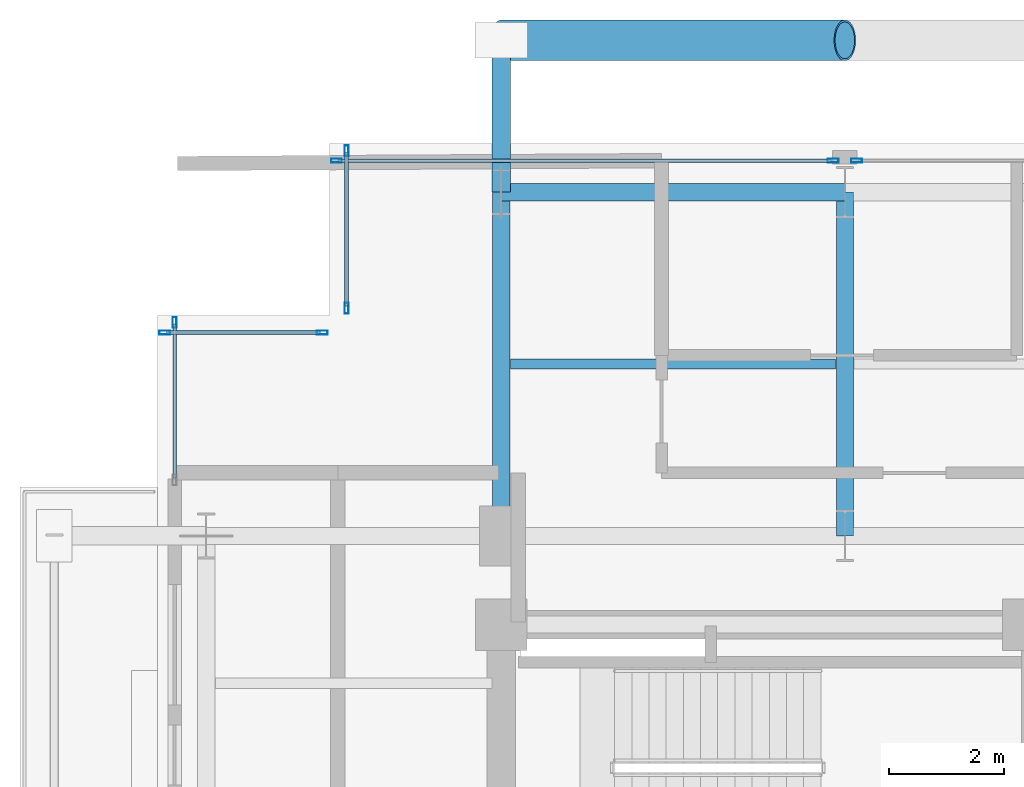
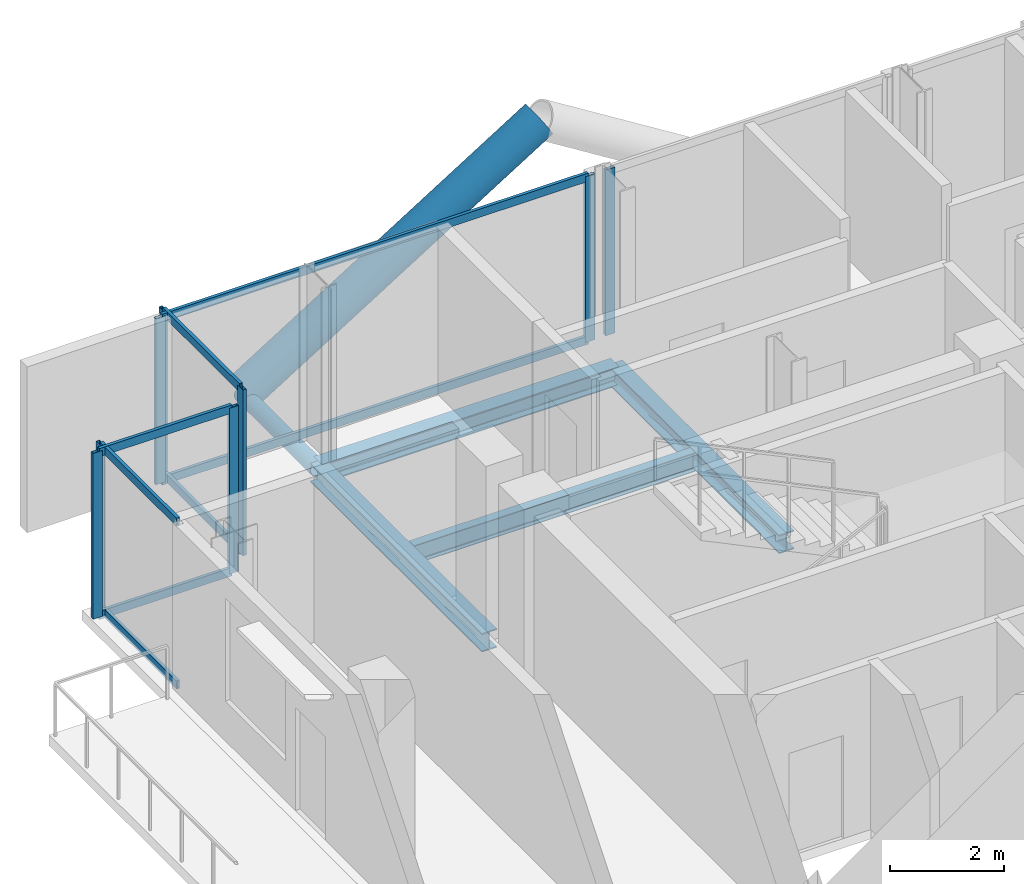
# One storey, part 14 of 26: 18 members, 4 beams, 5 elements without a shape of their own.
"""IFC4 building model written with IfcOpenShell, lengths in metres."""

from ifc_helpers import new_model, si_unit, direction, frame, origin, origin_2d, place, context, subcontext, project, spatial, hollow_rectangle, hollow_circle, i_section, extrude, material, layer, layer_set, material_profile, profile_set, type_object, element, aggregate, save


model = new_model("IFC4")

# Units and contexts
model_context = context("Model", 3, precision=1e-05, world=origin(), true_north=direction((0.0, 1.0)))
body_context = subcontext(model_context, "Body", "Model", "MODEL_VIEW")
ifc_project = project(units=[si_unit("LENGTHUNIT", "METRE"), si_unit("AREAUNIT", "SQUARE_METRE"), si_unit("VOLUMEUNIT", "CUBIC_METRE"), si_unit("PLANEANGLEUNIT", "RADIAN"), si_unit("MASSUNIT", "GRAM", prefix="KILO"), si_unit("THERMODYNAMICTEMPERATUREUNIT", "KELVIN"), si_unit("POWERUNIT", "WATT")], contexts=[model_context])

# Site, building, storey
site_placement = place(None, origin())
site = spatial("IfcSite", under=ifc_project, at=site_placement, CompositionType="ELEMENT")
building_placement = place(site_placement, origin())
building = spatial("IfcBuilding", under=site, at=building_placement, Name="Svarakhadi Broadcast Tower", CompositionType="ELEMENT")
storey_placement = place(building_placement, frame((0.0, 0.0, 180.449951171875)))
storey = spatial("IfcBuildingStorey", under=building, at=storey_placement, Name="L44", CompositionType="ELEMENT", Elevation=180.449951171875)

# Beam
ifc_material_1 = material(Name="Steel S355J2 (IS 2062 E350C)", Category="steel")
ifc_material_profile_1 = material_profile(ifc_material_1, i_section(OverallWidth=0.179931640625, OverallDepth=0.39990234375, WebThickness=0.008544921875, FlangeThickness=0.013427734375, FilletRadius=0.02099609375, at=origin_2d()), Name="NPB 400x180x66")
ifc_profile_set_1 = profile_set([ifc_material_profile_1], Name="Steel S355J2 (IS 2062 E350C)")
beam_type_1 = type_object("IfcBeamType", Name="Beam_NPB400", PredefinedType="BEAM", material=ifc_profile_set_1)
beam_placement = place(storey_placement, frame((6.159912109375, 32.14990234375, -0.409912109375), z_axis=(1.0, 0.0, 0.0), x_axis=(0.0, 1.0, 0.0)))
element("IfcBeam", 1, at=beam_placement, inside=storey, type_object=beam_type_1, Name="L44 Secondary Composite Beam SB008", PredefinedType="BEAM", context=body_context, shape_type="SweptSolid", body=[
    extrude(i_section(OverallWidth=0.179931640625, OverallDepth=0.39990234375, WebThickness=0.008544921875, FlangeThickness=0.013427734375, FilletRadius=0.02099609375, at=origin_2d()), origin(), (0.0, 0.0, 1.0), 5.68017578125),
])

# Curtain wall, member
ifc_material_2 = material(Name="Anodised Bronze Aluminium AA 6063-T6", Category="aluminium")
ifc_layer = layer(ifc_material_2, 0.18994140625)
ifc_layer_set = layer_set([ifc_layer], Name="Anodised Bronze Aluminium AA 6063-T6")
curtain_wall_type = type_object("IfcCurtainWallType", Name="CW_Sys_04", PredefinedType="NOTDEFINED", material=ifc_layer_set)
curtain_wall_1_placement = place(storey_placement, origin())
curtain_wall_1 = element("IfcCurtainWall", 2, at=curtain_wall_1_placement, inside=storey, type_object=curtain_wall_type, Name="L44 West Curtain Wall 03", PredefinedType="NOTDEFINED")
ifc_material_profile_2 = material_profile(ifc_material_2, hollow_rectangle(XDim=0.070068359375, YDim=0.18994140625, WallThickness=0.005615234375, at=origin_2d()), Name="ALU MULLION 190x70x6")
ifc_profile_set_2 = profile_set([ifc_material_profile_2], Name="Anodised Bronze Aluminium AA 6063-T6")
member_type_1 = type_object("IfcMemberType", Name="CW_Sys_04_Mul", PredefinedType="MULLION", material=ifc_profile_set_2)
member_1_placement = place(storey_placement, frame((0.300048828125, 32.875, 0.0), z_axis=(0.0, 0.0, 1.0), x_axis=(-1.0, 0.0, 0.0)))
member_1 = element("IfcMember", 3, at=member_1_placement, type_object=member_type_1, Name="CW-04 mullion 2", PredefinedType="MULLION", context=body_context, shape_type="SweptSolid", body=[
    extrude(hollow_rectangle(XDim=0.070068359375, YDim=0.18994140625, WallThickness=0.005615234375, at=origin_2d()), origin(), (0.0, 0.0, 1.0), 3.5400390625),
])

# Curtain wall, members
curtain_wall_2_placement = place(storey_placement, origin())
curtain_wall_2 = element("IfcCurtainWall", 4, at=curtain_wall_2_placement, inside=storey, type_object=curtain_wall_type, Name="L44 Unitised Facade Curtain Wall 04", PredefinedType="NOTDEFINED")
member_2_placement = place(storey_placement, frame((0.125, 32.699951171875, 0.0), z_axis=(0.0, 0.0, 1.0), x_axis=(0.0, 1.0, 0.0)))
member_2 = element("IfcMember", 5, at=member_2_placement, type_object=member_type_1, Name="CW-04 mullion 1", PredefinedType="MULLION", context=body_context, shape_type="SweptSolid", body=[
    extrude(hollow_rectangle(XDim=0.070068359375, YDim=0.18994140625, WallThickness=0.005615234375, at=origin_2d()), origin(), (0.0, 0.0, 1.0), 3.5400390625),
])
member_3_placement = place(storey_placement, frame((2.875, 32.699951171875, 0.0), z_axis=(0.0, 0.0, 1.0), x_axis=(0.0, 1.0, 0.0)))
member_3 = element("IfcMember", 6, at=member_3_placement, type_object=member_type_1, Name="CW-04 mullion 2", PredefinedType="MULLION", context=body_context, shape_type="SweptSolid", body=[
    extrude(hollow_rectangle(XDim=0.070068359375, YDim=0.18994140625, WallThickness=0.005615234375, at=origin_2d()), origin(), (0.0, 0.0, 1.0), 3.5400390625),
])

curtain_wall_3_placement = place(storey_placement, origin())
curtain_wall_3 = element("IfcCurtainWall", 7, at=curtain_wall_3_placement, inside=storey, type_object=curtain_wall_type, Name="L44 Unitised Facade Curtain Wall 05", PredefinedType="NOTDEFINED")
member_4_placement = place(storey_placement, frame((3.300048828125, 33.125, 0.0), z_axis=(0.0, 0.0, 1.0), x_axis=(-1.0, 0.0, 0.0)))
member_4 = element("IfcMember", 8, at=member_4_placement, type_object=member_type_1, Name="CW-04 mullion 1", PredefinedType="MULLION", context=body_context, shape_type="SweptSolid", body=[
    extrude(hollow_rectangle(XDim=0.070068359375, YDim=0.18994140625, WallThickness=0.005615234375, at=origin_2d()), origin(), (0.0, 0.0, 1.0), 3.5400390625),
])
member_5_placement = place(storey_placement, frame((3.300048828125, 35.875, 0.0), z_axis=(0.0, 0.0, 1.0), x_axis=(-1.0, 0.0, 0.0)))
member_5 = element("IfcMember", 9, at=member_5_placement, type_object=member_type_1, Name="CW-04 mullion 2", PredefinedType="MULLION", context=body_context, shape_type="SweptSolid", body=[
    extrude(hollow_rectangle(XDim=0.070068359375, YDim=0.18994140625, WallThickness=0.005615234375, at=origin_2d()), origin(), (0.0, 0.0, 1.0), 3.5400390625),
])

curtain_wall_4_placement = place(storey_placement, origin())
curtain_wall_4 = element("IfcCurtainWall", 10, at=curtain_wall_4_placement, inside=storey, type_object=curtain_wall_type, Name="L44 Unitised Facade Curtain Wall 06 Bay 1", PredefinedType="NOTDEFINED")
member_6_placement = place(storey_placement, frame((3.125, 35.699951171875, 0.0), z_axis=(0.0, 0.0, 1.0), x_axis=(0.0, 1.0, 0.0)))
member_6 = element("IfcMember", 11, at=member_6_placement, type_object=member_type_1, Name="CW-04 mullion 1", PredefinedType="MULLION", context=body_context, shape_type="SweptSolid", body=[
    extrude(hollow_rectangle(XDim=0.070068359375, YDim=0.18994140625, WallThickness=0.005615234375, at=origin_2d()), origin(), (0.0, 0.0, 1.0), 3.5400390625),
])
member_7_placement = place(storey_placement, frame((11.794921875, 35.699951171875, 0.0), z_axis=(0.0, 0.0, 1.0), x_axis=(0.0, 1.0, 0.0)))
member_7 = element("IfcMember", 12, at=member_7_placement, type_object=member_type_1, Name="CW-04 mullion 2", PredefinedType="MULLION", context=body_context, shape_type="SweptSolid", body=[
    extrude(hollow_rectangle(XDim=0.070068359375, YDim=0.18994140625, WallThickness=0.005615234375, at=origin_2d()), origin(), (0.0, 0.0, 1.0), 3.5400390625),
])

# Curtain wall, member
curtain_wall_5_placement = place(storey_placement, origin())
curtain_wall_5 = element("IfcCurtainWall", 13, at=curtain_wall_5_placement, inside=storey, type_object=curtain_wall_type, Name="L44 Unitised Facade Curtain Wall 06 Bay 2", PredefinedType="NOTDEFINED")
member_8_placement = place(storey_placement, frame((12.205078125, 35.699951171875, 0.0), z_axis=(0.0, 0.0, 1.0), x_axis=(0.0, 1.0, 0.0)))
member_8 = element("IfcMember", 14, at=member_8_placement, type_object=member_type_1, Name="CW-04 mullion 1", PredefinedType="MULLION", context=body_context, shape_type="SweptSolid", body=[
    extrude(hollow_rectangle(XDim=0.070068359375, YDim=0.18994140625, WallThickness=0.005615234375, at=origin_2d()), origin(), (0.0, 0.0, 1.0), 3.5400390625),
])
aggregate(curtain_wall_5, [member_8])

# Member
ifc_material_profile_3 = material_profile(ifc_material_2, hollow_rectangle(XDim=0.06494140625, YDim=0.175048828125, WallThickness=0.0048828125, at=origin_2d()), Name="ALU TRANSOM 175x65x5")
ifc_profile_set_3 = profile_set([ifc_material_profile_3], Name="Anodised Bronze Aluminium AA 6063-T6")
member_type_2 = type_object("IfcMemberType", Name="CW_Sys_04_Trn", PredefinedType="USERDEFINED", material=ifc_profile_set_3)
member_9_placement = place(storey_placement, frame((0.300048828125, 30.159912109375, 0.032470703125), z_axis=(0.0, 1.0, 0.0), x_axis=(-1.0, 0.0, 0.0)))
member_9 = element("IfcMember", 15, at=member_9_placement, type_object=member_type_2, Name="CW-04 transom 1.1", ObjectType="TRANSOM", PredefinedType="USERDEFINED", context=body_context, shape_type="SweptSolid", body=[
    extrude(hollow_rectangle(XDim=0.06494140625, YDim=0.175048828125, WallThickness=0.0048828125, at=origin_2d()), origin(), (0.0, 0.0, 1.0), 2.68017578125),
])

member_10_placement = place(storey_placement, frame((0.300048828125, 30.159912109375, 3.507568359375), z_axis=(0.0, 1.0, 0.0), x_axis=(-1.0, 0.0, 0.0)))
member_10 = element("IfcMember", 16, at=member_10_placement, type_object=member_type_2, Name="CW-04 transom 1.2", ObjectType="TRANSOM", PredefinedType="USERDEFINED", context=body_context, shape_type="SweptSolid", body=[
    extrude(hollow_rectangle(XDim=0.06494140625, YDim=0.175048828125, WallThickness=0.0048828125, at=origin_2d()), origin(), (0.0, 0.0, 1.0), 2.68017578125),
])

aggregate(curtain_wall_1, [member_1, member_9, member_10])

member_11_placement = place(storey_placement, frame((0.159912109375, 32.699951171875, 0.032470703125), z_axis=(1.0, 0.0, 0.0), x_axis=(0.0, 1.0, 0.0)))
member_11 = element("IfcMember", 17, at=member_11_placement, type_object=member_type_2, Name="CW-04 transom 1.1", ObjectType="TRANSOM", PredefinedType="USERDEFINED", context=body_context, shape_type="SweptSolid", body=[
    extrude(hollow_rectangle(XDim=0.06494140625, YDim=0.175048828125, WallThickness=0.0048828125, at=origin_2d()), origin(), (0.0, 0.0, 1.0), 2.68017578125),
])

member_12_placement = place(storey_placement, frame((0.159912109375, 32.699951171875, 3.507568359375), z_axis=(1.0, 0.0, 0.0), x_axis=(0.0, 1.0, 0.0)))
member_12 = element("IfcMember", 18, at=member_12_placement, type_object=member_type_2, Name="CW-04 transom 1.2", ObjectType="TRANSOM", PredefinedType="USERDEFINED", context=body_context, shape_type="SweptSolid", body=[
    extrude(hollow_rectangle(XDim=0.06494140625, YDim=0.175048828125, WallThickness=0.0048828125, at=origin_2d()), origin(), (0.0, 0.0, 1.0), 2.68017578125),
])

aggregate(curtain_wall_2, [member_2, member_3, member_11, member_12])

member_13_placement = place(storey_placement, frame((3.300048828125, 33.159912109375, 0.032470703125), z_axis=(0.0, 1.0, 0.0), x_axis=(-1.0, 0.0, 0.0)))
member_13 = element("IfcMember", 19, at=member_13_placement, type_object=member_type_2, Name="CW-04 transom 1.1", ObjectType="TRANSOM", PredefinedType="USERDEFINED", context=body_context, shape_type="SweptSolid", body=[
    extrude(hollow_rectangle(XDim=0.06494140625, YDim=0.175048828125, WallThickness=0.0048828125, at=origin_2d()), origin(), (0.0, 0.0, 1.0), 2.68017578125),
])

member_14_placement = place(storey_placement, frame((3.300048828125, 33.159912109375, 3.507568359375), z_axis=(0.0, 1.0, 0.0), x_axis=(-1.0, 0.0, 0.0)))
member_14 = element("IfcMember", 20, at=member_14_placement, type_object=member_type_2, Name="CW-04 transom 1.2", ObjectType="TRANSOM", PredefinedType="USERDEFINED", context=body_context, shape_type="SweptSolid", body=[
    extrude(hollow_rectangle(XDim=0.06494140625, YDim=0.175048828125, WallThickness=0.0048828125, at=origin_2d()), origin(), (0.0, 0.0, 1.0), 2.68017578125),
])

aggregate(curtain_wall_3, [member_4, member_5, member_13, member_14])

member_15_placement = place(storey_placement, frame((3.159912109375, 35.699951171875, 0.032470703125), z_axis=(1.0, 0.0, 0.0), x_axis=(0.0, 1.0, 0.0)))
member_15 = element("IfcMember", 21, at=member_15_placement, type_object=member_type_2, Name="CW-04 transom 1.1", ObjectType="TRANSOM", PredefinedType="USERDEFINED", context=body_context, shape_type="SweptSolid", body=[
    extrude(hollow_rectangle(XDim=0.06494140625, YDim=0.175048828125, WallThickness=0.0048828125, at=origin_2d()), origin(), (0.0, 0.0, 1.0), 8.60009765625),
])

member_16_placement = place(storey_placement, frame((3.159912109375, 35.699951171875, 3.507568359375), z_axis=(1.0, 0.0, 0.0), x_axis=(0.0, 1.0, 0.0)))
member_16 = element("IfcMember", 22, at=member_16_placement, type_object=member_type_2, Name="CW-04 transom 1.2", ObjectType="TRANSOM", PredefinedType="USERDEFINED", context=body_context, shape_type="SweptSolid", body=[
    extrude(hollow_rectangle(XDim=0.06494140625, YDim=0.175048828125, WallThickness=0.0048828125, at=origin_2d()), origin(), (0.0, 0.0, 1.0), 8.60009765625),
])

aggregate(curtain_wall_4, [member_6, member_7, member_15, member_16])

# Members
ifc_material_3 = material(Name="Steel S460ML (IS 2062 E450BR)", Category="steel")
ifc_material_profile_4 = material_profile(ifc_material_3, hollow_circle(Radius=0.35546875, WallThickness=0.034912109375, at=origin_2d()), Name="CHS 711x35")
ifc_profile_set_4 = profile_set([ifc_material_profile_4], Name="Steel S460ML (IS 2062 E450BR)")
member_type_3 = type_object("IfcMemberType", Name="Exo_Brace_CHS711", PredefinedType="BRACE", material=ifc_profile_set_4)
member_17_placement = place(storey_placement, frame((6.0, 37.800048828125, -0.371826171875), z_axis=(0.847998304005, 0.0, 0.529998940003), x_axis=(0.0, 1.0, 0.0)))
element("IfcMember", 23, at=member_17_placement, inside=storey, type_object=member_type_3, Name="L44 Exposed Bronze Exoskeleton Diagonal N08", PredefinedType="BRACE", context=body_context, shape_type="SweptSolid", body=[
    extrude(hollow_circle(Radius=0.35546875, WallThickness=0.034912109375, at=origin_2d()), origin(), (0.0, 0.0, 1.0), 7.075439453125),
])
ifc_material_profile_5 = material_profile(ifc_material_3, hollow_circle(Radius=0.161865234375, WallThickness=0.01611328125, at=origin_2d()), Name="CHS 323.9x16")
ifc_profile_set_5 = profile_set([ifc_material_profile_5], Name="Steel S460ML (IS 2062 E450BR)")
member_type_4 = type_object("IfcMemberType", Name="Exo_Radial_Strut_Z2", PredefinedType="STRUT", material=ifc_profile_set_5)
member_18_placement = place(storey_placement, frame((6.0, 37.800048828125, -0.371826171875), z_axis=(0.0, -1.0, 0.0), x_axis=(1.0, 0.0, 0.0)))
element("IfcMember", 24, at=member_18_placement, inside=storey, type_object=member_type_4, Name="L44 Exoskeleton Radial Tie Strut N09", PredefinedType="STRUT", context=body_context, shape_type="SweptSolid", body=[
    extrude(hollow_circle(Radius=0.161865234375, WallThickness=0.01611328125, at=origin_2d()), origin(), (0.0, 0.0, 1.0), 2.650146484375),
])

# Beams
ifc_material_profile_6 = material_profile(ifc_material_1, i_section(OverallWidth=0.300048828125, OverallDepth=0.39990234375, WebThickness=0.013427734375, FlangeThickness=0.02392578125, FilletRadius=0.027099609375, at=origin_2d()), Name="WPB 400x300x155")
ifc_profile_set_6 = profile_set([ifc_material_profile_6], Name="Steel S355J2 (IS 2062 E350C)")
beam_type_2 = type_object("IfcBeamType", Name="Girder_WPB400", PredefinedType="USERDEFINED", material=ifc_profile_set_6)
for number, where, z_axis, x_axis, name in (
    (25, (6.0, 35.14990234375, -0.409912109375), (1.0, 0.0, 0.0), (0.0, 1.0, 0.0), "L44 Primary E-W Girder G031"),
    (26, (6.0, 29.14990234375, -0.409912109375), (0.0, 1.0, 0.0), (-1.0, 0.0, 0.0), "L44 Primary N-S Girder G041"),
    (27, (12.0, 29.14990234375, -0.409912109375), (0.0, 1.0, 0.0), (-1.0, 0.0, 0.0), "L44 Primary N-S Girder G045"),
):
    element("IfcBeam", number, at=place(storey_placement, frame(where, z_axis=z_axis, x_axis=x_axis)), inside=storey, type_object=beam_type_2, Name=name, ObjectType="GIRDER", PredefinedType="USERDEFINED", context=body_context, shape_type="SweptSolid", body=[
        extrude(i_section(OverallWidth=0.300048828125, OverallDepth=0.39990234375, WebThickness=0.013427734375, FlangeThickness=0.02392578125, FilletRadius=0.027099609375, at=origin_2d()), origin(), (0.0, 0.0, 1.0), 6.0),
    ])

save(model, "model.ifc")
